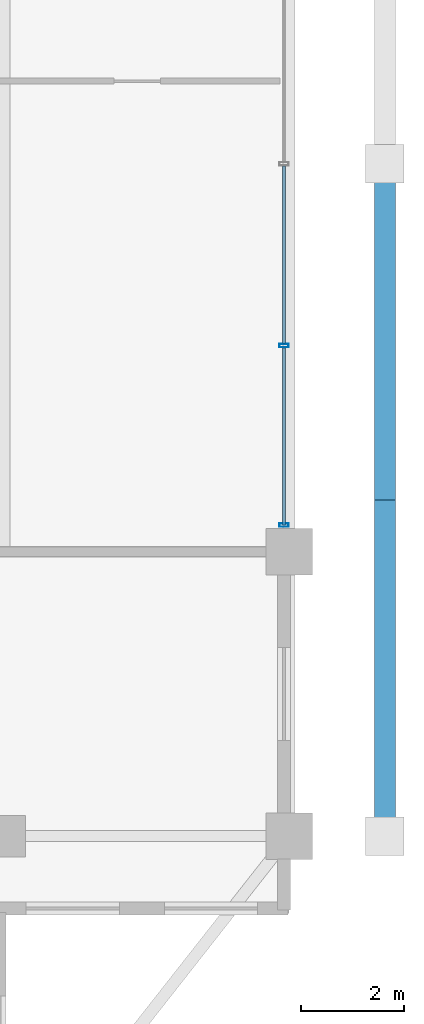
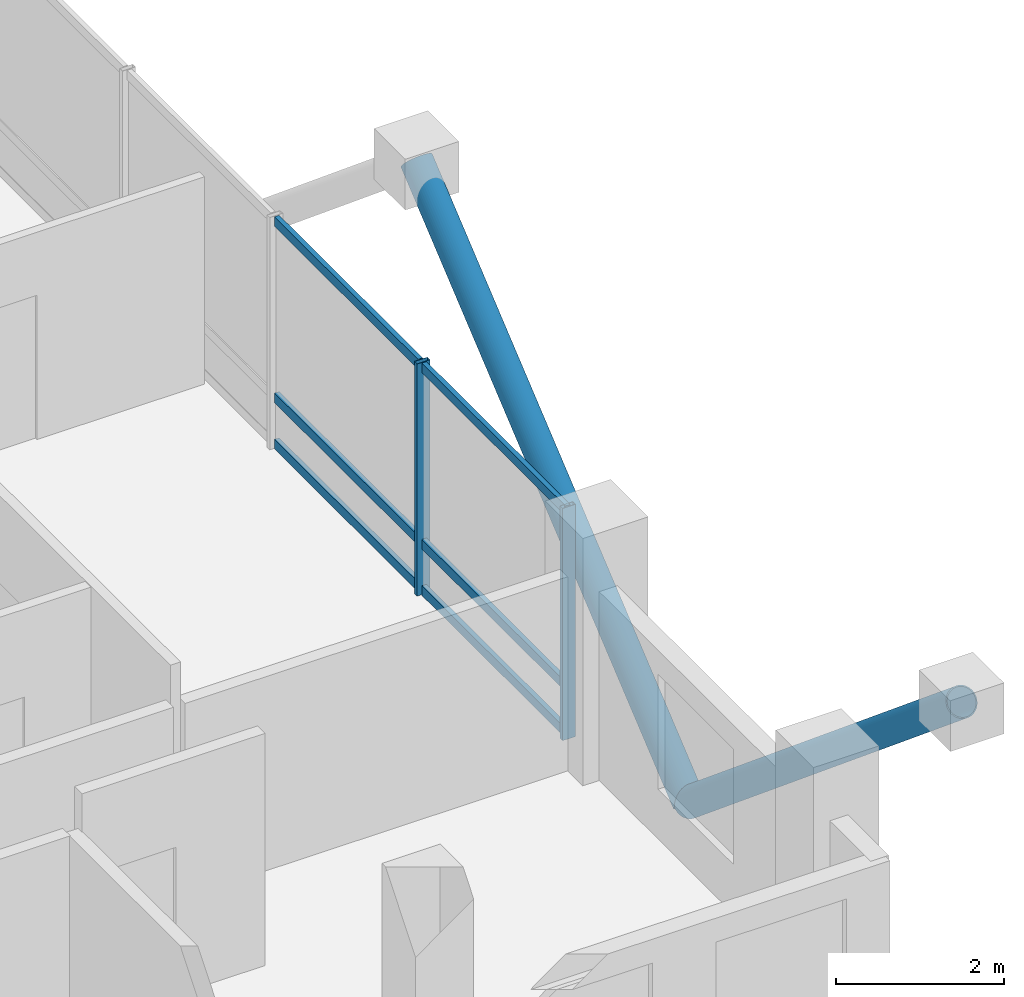
# One storey, part 11 of 23: 10 members, 1 element without a shape of its own.
"""IFC4 building model written with IfcOpenShell, lengths in metres."""

from ifc_helpers import new_model, si_unit, direction, frame, origin, origin_2d, place, context, subcontext, project, spatial, hollow_rectangle, hollow_circle, extrude, material, layer, layer_set, material_profile, profile_set, type_object, element, aggregate, save


model = new_model("IFC4")

# Units and contexts
model_context = context("Model", 3, precision=1e-05, world=origin(), true_north=direction((0.0, 1.0)))
body_context = subcontext(model_context, "Body", "Model", "MODEL_VIEW")
ifc_project = project(units=[si_unit("LENGTHUNIT", "METRE"), si_unit("AREAUNIT", "SQUARE_METRE"), si_unit("VOLUMEUNIT", "CUBIC_METRE"), si_unit("PLANEANGLEUNIT", "RADIAN"), si_unit("MASSUNIT", "GRAM", prefix="KILO")], contexts=[model_context])

# Site, building, storey
site_placement = place(None, origin())
site = spatial("IfcSite", under=ifc_project, at=site_placement, CompositionType="ELEMENT")
building_placement = place(site_placement, origin())
building = spatial("IfcBuilding", under=site, at=building_placement, Name="Barlavira Tower and Art Museum", CompositionType="ELEMENT")
storey_placement = place(building_placement, frame((0.0, 0.0, 290.699951171875)))
storey = spatial("IfcBuildingStorey", under=building, at=storey_placement, Name="L76", CompositionType="ELEMENT", Elevation=290.699951171875)

# Curtain wall, members
ifc_material_1 = material(Name="Low-iron coastal laminated glass", Category="glass")
ifc_layer = layer(ifc_material_1, 0.2099609375, Name="Low-iron coastal laminated glass")
ifc_layer_set = layer_set([ifc_layer], Name="Low-iron coastal laminated glass")
curtain_wall_type = type_object("IfcCurtainWallType", Name="Pale-Metal Unitised Curtain Wall Zone 4", PredefinedType="NOTDEFINED", material=ifc_layer_set)
curtain_wall_placement = place(storey_placement, origin())
curtain_wall = element("IfcCurtainWall", 1, at=curtain_wall_placement, inside=storey, type_object=curtain_wall_type, Name="L76 Curtain Wall CW4-L76-E-B3", PredefinedType="NOTDEFINED")
ifc_material_2 = material(Name="Pale anodised aluminium", Category="aluminium")
ifc_material_profile_1 = material_profile(ifc_material_2, hollow_rectangle(XDim=0.06494140625, YDim=0.179931640625, WallThickness=0.00390625, at=origin_2d()), Name="ALU-MULL 65x180x4")
ifc_profile_set_1 = profile_set([ifc_material_profile_1], Name="Pale anodised aluminium")
member_type_1 = type_object("IfcMemberType", Name="Curtain Wall Pale-Metal Mullion 65x180", PredefinedType="MULLION", material=ifc_profile_set_1)
member_1_placement = place(storey_placement, frame((16.89990234375, -6.985107421875, 0.0), z_axis=(0.0, 0.0, 1.0), x_axis=(0.0, 1.0, 0.0)))
member_1 = element("IfcMember", 2, at=member_1_placement, type_object=member_type_1, Name="CW4-L76-E-B3 Mullion 0", PredefinedType="MULLION", context=body_context, shape_type="SweptSolid", body=[
    extrude(hollow_rectangle(XDim=0.06494140625, YDim=0.179931640625, WallThickness=0.00390625, at=origin_2d()), origin(), (0.0, 0.0, 1.0), 3.380126953125),
])
member_2_placement = place(storey_placement, frame((16.89990234375, -3.514892578125, 0.0), z_axis=(0.0, 0.0, 1.0), x_axis=(0.0, 1.0, 0.0)))
member_2 = element("IfcMember", 3, at=member_2_placement, type_object=member_type_1, Name="CW4-L76-E-B3 Mullion 1", PredefinedType="MULLION", context=body_context, shape_type="SweptSolid", body=[
    extrude(hollow_rectangle(XDim=0.06494140625, YDim=0.179931640625, WallThickness=0.00390625, at=origin_2d()), origin(), (0.0, 0.0, 1.0), 3.380126953125),
])
ifc_material_profile_2 = material_profile(ifc_material_2, hollow_rectangle(XDim=0.06494140625, YDim=0.139892578125, WallThickness=0.00390625, at=origin_2d()), Name="ALU-TRAN 65x140x4")
ifc_profile_set_2 = profile_set([ifc_material_profile_2], Name="Pale anodised aluminium")
member_type_2 = type_object("IfcMemberType", Name="Curtain Wall Pale-Metal Transom 65x140", PredefinedType="USERDEFINED", material=ifc_profile_set_2)
member_3_placement = place(storey_placement, frame((16.89990234375, -6.985107421875, 0.070068359375), z_axis=(0.0, 1.0, 0.0), x_axis=(-1.0, 0.0, 0.0)))
member_3 = element("IfcMember", 4, at=member_3_placement, type_object=member_type_2, Name="CW4-L76-E-B3 Transom 0.1", ObjectType="TRANSOM", PredefinedType="USERDEFINED", context=body_context, shape_type="SweptSolid", body=[
    extrude(hollow_rectangle(XDim=0.06494140625, YDim=0.139892578125, WallThickness=0.00390625, at=origin_2d()), origin(), (0.0, 0.0, 1.0), 3.425048828125),
])
member_4_placement = place(storey_placement, frame((16.89990234375, -6.985107421875, 0.744140625), z_axis=(0.0, 1.0, 0.0), x_axis=(-1.0, 0.0, 0.0)))
member_4 = element("IfcMember", 5, at=member_4_placement, type_object=member_type_2, Name="CW4-L76-E-B3 Transom 0.2", ObjectType="TRANSOM", PredefinedType="USERDEFINED", context=body_context, shape_type="SweptSolid", body=[
    extrude(hollow_rectangle(XDim=0.06494140625, YDim=0.139892578125, WallThickness=0.00390625, at=origin_2d()), origin(), (0.0, 0.0, 1.0), 3.425048828125),
])
member_5_placement = place(storey_placement, frame((16.89990234375, -6.985107421875, 3.31005859375), z_axis=(0.0, 1.0, 0.0), x_axis=(-1.0, 0.0, 0.0)))
member_5 = element("IfcMember", 6, at=member_5_placement, type_object=member_type_2, Name="CW4-L76-E-B3 Transom 0.3", ObjectType="TRANSOM", PredefinedType="USERDEFINED", context=body_context, shape_type="SweptSolid", body=[
    extrude(hollow_rectangle(XDim=0.06494140625, YDim=0.139892578125, WallThickness=0.00390625, at=origin_2d()), origin(), (0.0, 0.0, 1.0), 3.425048828125),
])
member_6_placement = place(storey_placement, frame((16.89990234375, -3.469970703125, 0.070068359375), z_axis=(0.0, 1.0, 0.0), x_axis=(-1.0, 0.0, 0.0)))
member_6 = element("IfcMember", 7, at=member_6_placement, type_object=member_type_2, Name="CW4-L76-E-B3 Transom 1.1", ObjectType="TRANSOM", PredefinedType="USERDEFINED", context=body_context, shape_type="SweptSolid", body=[
    extrude(hollow_rectangle(XDim=0.06494140625, YDim=0.139892578125, WallThickness=0.00390625, at=origin_2d()), origin(), (0.0, 0.0, 1.0), 3.425048828125),
])
member_7_placement = place(storey_placement, frame((16.89990234375, -3.469970703125, 0.744140625), z_axis=(0.0, 1.0, 0.0), x_axis=(-1.0, 0.0, 0.0)))
member_7 = element("IfcMember", 8, at=member_7_placement, type_object=member_type_2, Name="CW4-L76-E-B3 Transom 1.2", ObjectType="TRANSOM", PredefinedType="USERDEFINED", context=body_context, shape_type="SweptSolid", body=[
    extrude(hollow_rectangle(XDim=0.06494140625, YDim=0.139892578125, WallThickness=0.00390625, at=origin_2d()), origin(), (0.0, 0.0, 1.0), 3.425048828125),
])
member_8_placement = place(storey_placement, frame((16.89990234375, -3.469970703125, 3.31005859375), z_axis=(0.0, 1.0, 0.0), x_axis=(-1.0, 0.0, 0.0)))
member_8 = element("IfcMember", 9, at=member_8_placement, type_object=member_type_2, Name="CW4-L76-E-B3 Transom 1.3", ObjectType="TRANSOM", PredefinedType="USERDEFINED", context=body_context, shape_type="SweptSolid", body=[
    extrude(hollow_rectangle(XDim=0.06494140625, YDim=0.139892578125, WallThickness=0.00390625, at=origin_2d()), origin(), (0.0, 0.0, 1.0), 3.425048828125),
])
aggregate(curtain_wall, [member_1, member_2, member_3, member_4, member_5, member_6, member_7, member_8])

# Members
ifc_material_3 = material(Name="Steel S355", Category="steel")
ifc_material_profile_3 = material_profile(ifc_material_3, hollow_circle(Radius=0.203125, WallThickness=0.01611328125, at=origin_2d()), Name="CHS 406.4x16.0")
ifc_profile_set_3 = profile_set([ifc_material_profile_3], Name="Steel S355")
member_type_3 = type_object("IfcMemberType", Name="Pale-Metal Exoskeleton Diagrid Tube CHS 406x16 Steel S355", PredefinedType="BRACE", material=ifc_profile_set_3)
for number, where, z_axis, x_axis, name in (
    (10, (18.85009765625, -6.5, -1.919921875), (0.0, -0.769196053329, 0.639012857104), (1.0, 0.0, 0.0), "L76 Exoskeleton Diagrid Tube E"),
    (11, (18.85009765625, -6.5, -1.919921875), (0.0, 0.769196053329, 0.639012857104), (-1.0, 0.0, 0.0), "L76 Exoskeleton Diagrid Tube E"),
):
    element("IfcMember", number, at=place(storey_placement, frame(where, z_axis=z_axis, x_axis=x_axis)), inside=storey, type_object=member_type_3, Name=name, PredefinedType="BRACE", context=body_context, shape_type="SweptSolid", body=[
        extrude(hollow_circle(Radius=0.203125, WallThickness=0.01611328125, at=origin_2d()), origin(), (0.0, 0.0, 1.0), 8.450439453125),
    ])

save(model, "model.ifc")
